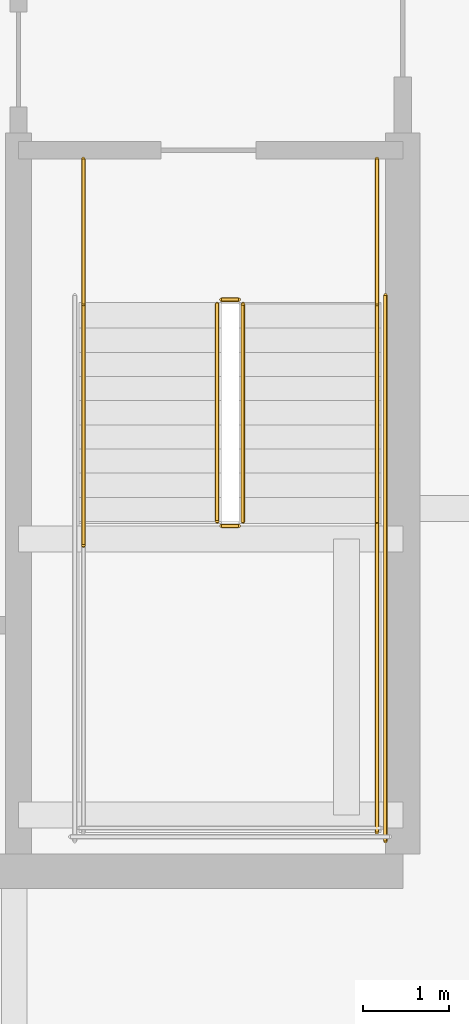
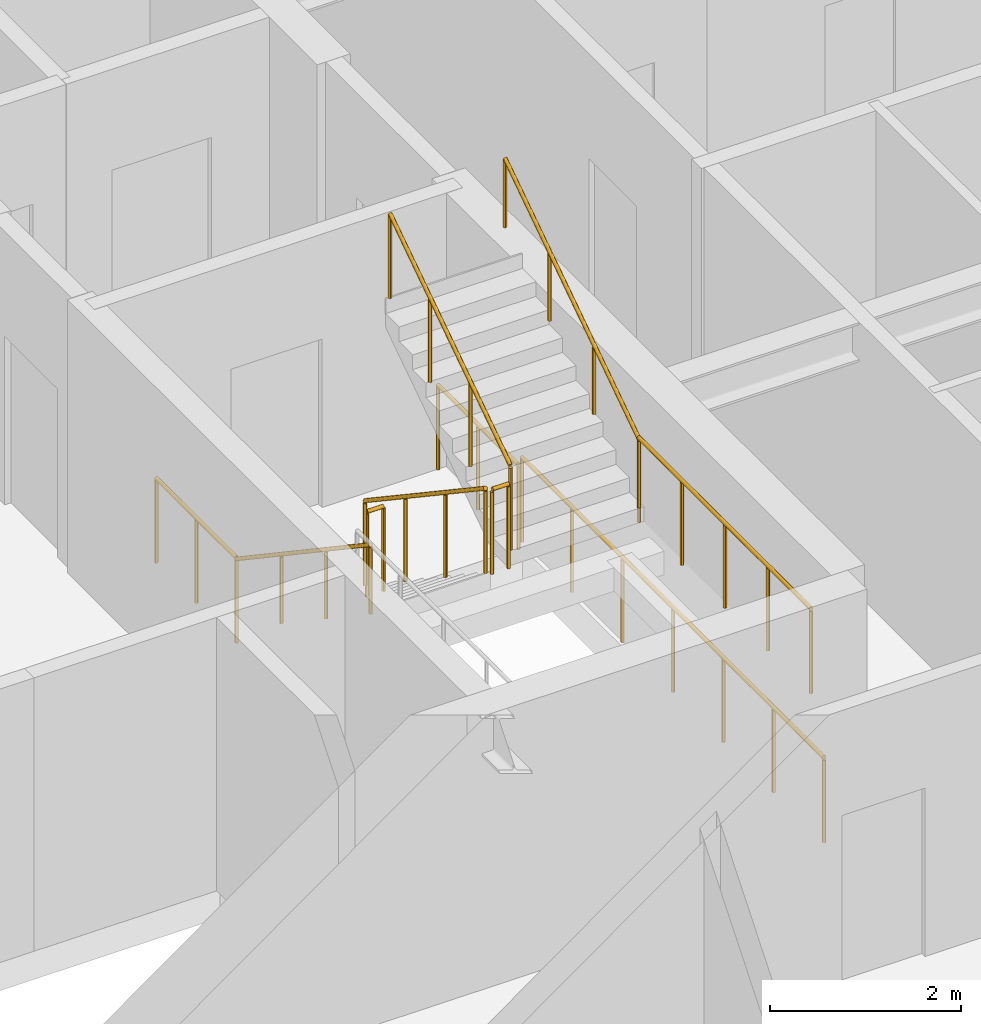
# One storey, part 37 of 38: 10 railings.
"""IFC4 building model written with IfcOpenShell, lengths in metres."""

from ifc_helpers import new_model, si_unit, direction, frame, origin, origin_2d, place, context, subcontext, project, spatial, circle, extrude, material, type_object, element, save


model = new_model("IFC4")

# Units and contexts
model_context = context("Model", 3, precision=1e-05, world=origin(), true_north=direction((0.0, 1.0)))
body_context = subcontext(model_context, "Body", "Model", "MODEL_VIEW")
ifc_project = project(units=[si_unit("LENGTHUNIT", "METRE"), si_unit("AREAUNIT", "SQUARE_METRE"), si_unit("VOLUMEUNIT", "CUBIC_METRE"), si_unit("PLANEANGLEUNIT", "RADIAN"), si_unit("MASSUNIT", "GRAM", prefix="KILO")], contexts=[model_context])

# Site, building, storey
site_placement = place(None, origin())
site = spatial("IfcSite", under=ifc_project, at=site_placement, CompositionType="ELEMENT")
building_placement = place(site_placement, origin())
building = spatial("IfcBuilding", under=site, at=building_placement, Name="Serunith Strait Residences", CompositionType="ELEMENT")
storey_placement = place(building_placement, frame((0.0, 0.0, 120.14990234375)))
storey = spatial("IfcBuildingStorey", under=building, at=storey_placement, Name="L29", CompositionType="ELEMENT", Elevation=120.14990234375)

# Railings
ifc_material = material(Name="Brushed stainless steel 316L", Category="steel")
railing_type_1 = type_object("IfcRailingType", Name="RLG-STAIR-GUARD", PredefinedType="BALUSTRADE", material=ifc_material)
railing_1_placement = place(storey_placement, frame((39.25, 23.3701171875, 0.1875)))
element("IfcRailing", 1, at=railing_1_placement, inside=storey, type_object=railing_type_1, Name="L29 ST-2 stair guard 1", PredefinedType="BALUSTRADE", context=body_context, shape_type="SweptSolid", body=[
    extrude(circle(Radius=0.02392578125, at=origin_2d()), frame((0.0, -0.001708984375, 1.0771484375), z_axis=(0.0, -0.830909170722, 0.55640807867), x_axis=(1.0, 0.0, 0.0)), (0.0, 0.0, 1.0), 3.02880859375),
    extrude(circle(Radius=0.02099609375, at=origin_2d()), origin(), (0.0, 0.0, 1.0), 1.050048828125),
    extrude(circle(Radius=0.02099609375, at=origin_2d()), frame((0.0, -0.840087890625, 0.5625)), (0.0, 0.0, 1.0), 1.050048828125),
    extrude(circle(Radius=0.02099609375, at=origin_2d()), frame((0.0, -1.679931640625, 1.125)), (0.0, 0.0, 1.0), 1.050048828125),
    extrude(circle(Radius=0.02099609375, at=origin_2d()), frame((0.0, -2.52001953125, 1.6875)), (0.0, 0.0, 1.0), 1.050048828125),
])
railing_2_placement = place(storey_placement, frame((39.300048828125, 20.800048828125, 1.875)))
element("IfcRailing", 2, at=railing_2_placement, inside=storey, type_object=railing_type_1, Name="L29 ST-2 stair guard 2", PredefinedType="BALUSTRADE", context=body_context, shape_type="SweptSolid", body=[
    extrude(circle(Radius=0.02392578125, at=origin_2d()), frame((0.001953125, 0.0, 1.076171875), z_axis=(1.0, 0.0, 0.0), x_axis=(0.0, 1.0, 0.0)), (0.0, 0.0, 1.0), 0.196044921875),
    extrude(circle(Radius=0.02099609375, at=origin_2d()), origin(), (0.0, 0.0, 1.0), 1.050048828125),
    extrude(circle(Radius=0.02099609375, at=origin_2d()), frame((0.199951171875, 0.0, 0.0)), (0.0, 0.0, 1.0), 1.050048828125),
])
railing_3_placement = place(storey_placement, frame((41.10009765625, 20.85009765625, 1.875)))
element("IfcRailing", 3, at=railing_3_placement, inside=storey, type_object=railing_type_1, Name="L29 ST-2 stair guard 4", PredefinedType="BALUSTRADE", context=body_context, shape_type="SweptSolid", body=[
    extrude(circle(Radius=0.02392578125, at=origin_2d()), frame((0.0, -0.001953125, 1.076171875), z_axis=(0.0, -1.0, 0.0), x_axis=(1.0, 0.0, 0.0)), (0.0, 0.0, 1.0), 3.59619140625),
    extrude(circle(Radius=0.02099609375, at=origin_2d()), origin(), (0.0, 0.0, 1.0), 1.050048828125),
    extrude(circle(Radius=0.02099609375, at=origin_2d()), frame((0.0, -0.89990234375, 0.0)), (0.0, 0.0, 1.0), 1.050048828125),
    extrude(circle(Radius=0.02099609375, at=origin_2d()), frame((0.0, -1.800048828125, 0.0)), (0.0, 0.0, 1.0), 1.050048828125),
    extrude(circle(Radius=0.02099609375, at=origin_2d()), frame((0.0, -2.7001953125, 0.0)), (0.0, 0.0, 1.0), 1.050048828125),
    extrude(circle(Radius=0.02099609375, at=origin_2d()), frame((0.0, -3.60009765625, 0.0)), (0.0, 0.0, 1.0), 1.050048828125),
])
railing_4_placement = place(storey_placement, frame((39.550048828125, 20.85009765625, 2.0625)))
element("IfcRailing", 4, at=railing_4_placement, inside=storey, type_object=railing_type_1, Name="L29 ST-2 stair guard 6", PredefinedType="BALUSTRADE", context=body_context, shape_type="SweptSolid", body=[
    extrude(circle(Radius=0.02392578125, at=origin_2d()), frame((0.0, 0.001708984375, 1.0771484375), z_axis=(0.0, 0.830909170722, 0.55640807867), x_axis=(-1.0, 0.0, 0.0)), (0.0, 0.0, 1.0), 3.02880859375),
    extrude(circle(Radius=0.02099609375, at=origin_2d()), origin(), (0.0, 0.0, 1.0), 1.050048828125),
    extrude(circle(Radius=0.02099609375, at=origin_2d()), frame((0.0, 0.840087890625, 0.5625)), (0.0, 0.0, 1.0), 1.050048828125),
    extrude(circle(Radius=0.02099609375, at=origin_2d()), frame((0.0, 1.679931640625, 1.125)), (0.0, 0.0, 1.0), 1.050048828125),
    extrude(circle(Radius=0.02099609375, at=origin_2d()), frame((0.0, 2.52001953125, 1.6875)), (0.0, 0.0, 1.0), 1.050048828125),
])
railing_5_placement = place(storey_placement, frame((39.300048828125, 23.419921875, 0.0)))
element("IfcRailing", 5, at=railing_5_placement, inside=storey, type_object=railing_type_1, Name="L29 ST-2 stair guard 7", PredefinedType="BALUSTRADE", context=body_context, shape_type="SweptSolid", body=[
    extrude(circle(Radius=0.02392578125, at=origin_2d()), frame((0.001953125, 0.0, 1.076171875), z_axis=(1.0, 0.0, 0.0), x_axis=(0.0, 1.0, 0.0)), (0.0, 0.0, 1.0), 0.196044921875),
    extrude(circle(Radius=0.02099609375, at=origin_2d()), origin(), (0.0, 0.0, 1.0), 1.050048828125),
    extrude(circle(Radius=0.02099609375, at=origin_2d()), frame((0.199951171875, 0.0, 0.0)), (0.0, 0.0, 1.0), 1.050048828125),
])
for number, where, name in (
    (6, (37.699951171875, 25.050048828125, 0.0), "L29 ST-2 stair guard 8"),
    (7, (41.10009765625, 25.050048828125, 0.0), "L29 ST-2 stair guard 9"),
):
    element("IfcRailing", number, at=place(storey_placement, frame(where)), inside=storey, type_object=railing_type_1, Name=name, PredefinedType="BALUSTRADE", context=body_context, shape_type="SweptSolid", body=[
        extrude(circle(Radius=0.02392578125, at=origin_2d()), frame((0.0, -0.001953125, 1.076171875), z_axis=(0.0, -1.0, 0.0), x_axis=(1.0, 0.0, 0.0)), (0.0, 0.0, 1.0), 1.676025390625),
        extrude(circle(Radius=0.02099609375, at=origin_2d()), origin(), (0.0, 0.0, 1.0), 1.050048828125),
        extrude(circle(Radius=0.02099609375, at=origin_2d()), frame((0.0, -0.83984375, 0.0)), (0.0, 0.0, 1.0), 1.050048828125),
        extrude(circle(Radius=0.02099609375, at=origin_2d()), frame((0.0, -1.679931640625, 0.0)), (0.0, 0.0, 1.0), 1.050048828125),
    ])
railing_6_placement = place(storey_placement, frame((41.199951171875, 23.469970703125, 0.0)))
element("IfcRailing", 8, at=railing_6_placement, inside=storey, type_object=railing_type_1, Name="L29 ST-2 stair guard 11", PredefinedType="BALUSTRADE", context=body_context, shape_type="SweptSolid", body=[
    extrude(circle(Radius=0.02392578125, at=origin_2d()), frame((0.0, -0.001953125, 1.076171875), z_axis=(0.0, -1.0, 0.0), x_axis=(1.0, 0.0, 0.0)), (0.0, 0.0, 1.0), 6.316162109375),
    extrude(circle(Radius=0.02099609375, at=origin_2d()), origin(), (0.0, 0.0, 1.0), 1.050048828125),
    extrude(circle(Radius=0.02099609375, at=origin_2d()), frame((0.0, -1.05322265625, 0.0)), (0.0, 0.0, 1.0), 1.050048828125),
    extrude(circle(Radius=0.02099609375, at=origin_2d()), frame((0.0, -2.106689453125, 0.0)), (0.0, 0.0, 1.0), 1.050048828125),
    extrude(circle(Radius=0.02099609375, at=origin_2d()), frame((0.0, -3.16015625, 0.0)), (0.0, 0.0, 1.0), 1.050048828125),
    extrude(circle(Radius=0.02099609375, at=origin_2d()), frame((0.0, -4.21337890625, 0.0)), (0.0, 0.0, 1.0), 1.050048828125),
    extrude(circle(Radius=0.02099609375, at=origin_2d()), frame((0.0, -5.2666015625, 0.0)), (0.0, 0.0, 1.0), 1.050048828125),
    extrude(circle(Radius=0.02099609375, at=origin_2d()), frame((0.0, -6.320068359375, 0.0)), (0.0, 0.0, 1.0), 1.050048828125),
])
railing_type_2 = type_object("IfcRailingType", Name="RLG-STAIR-HR", PredefinedType="HANDRAIL", material=ifc_material)
railing_7_placement = place(storey_placement, frame((37.699951171875, 23.3701171875, 0.1875)))
element("IfcRailing", 9, at=railing_7_placement, inside=storey, type_object=railing_type_2, Name="L29 ST-2 stair handrail 1", PredefinedType="HANDRAIL", context=body_context, shape_type="SweptSolid", body=[
    extrude(circle(Radius=0.02392578125, at=origin_2d()), frame((0.0, -0.001708984375, 0.876953125), z_axis=(0.0, -0.830208209119, 0.557453432594), x_axis=(1.0, 0.0, 0.0)), (0.0, 0.0, 1.0), 3.36865234375),
    extrude(circle(Radius=0.02099609375, at=origin_2d()), origin(), (0.0, 0.0, 1.0), 0.849853515625),
    extrude(circle(Radius=0.02099609375, at=origin_2d()), frame((0.0, -0.933349609375, 0.626708984375)), (0.0, 0.0, 1.0), 0.849853515625),
    extrude(circle(Radius=0.02099609375, at=origin_2d()), frame((0.0, -1.86669921875, 1.25341796875)), (0.0, 0.0, 1.0), 0.849853515625),
    extrude(circle(Radius=0.02099609375, at=origin_2d()), frame((0.0, -2.800048828125, 1.880126953125)), (0.0, 0.0, 1.0), 0.849853515625),
])
railing_8_placement = place(storey_placement, frame((41.10009765625, 20.85009765625, 2.0625)))
element("IfcRailing", 10, at=railing_8_placement, inside=storey, type_object=railing_type_2, Name="L29 ST-2 stair handrail 2", PredefinedType="HANDRAIL", context=body_context, shape_type="SweptSolid", body=[
    extrude(circle(Radius=0.02392578125, at=origin_2d()), frame((0.0, 0.001708984375, 0.876953125), z_axis=(0.0, 0.830185712471, 0.557486935101), x_axis=(-1.0, 0.0, 0.0)), (0.0, 0.0, 1.0), 3.368408203125),
    extrude(circle(Radius=0.02099609375, at=origin_2d()), origin(), (0.0, 0.0, 1.0), 0.849853515625),
    extrude(circle(Radius=0.02099609375, at=origin_2d()), frame((0.0, 0.933349609375, 0.626708984375)), (0.0, 0.0, 1.0), 0.849853515625),
    extrude(circle(Radius=0.02099609375, at=origin_2d()), frame((0.0, 1.866455078125, 1.25341796875)), (0.0, 0.0, 1.0), 0.849853515625),
    extrude(circle(Radius=0.02099609375, at=origin_2d()), frame((0.0, 2.7998046875, 1.880126953125)), (0.0, 0.0, 1.0), 0.849853515625),
])

save(model, "model.ifc")
